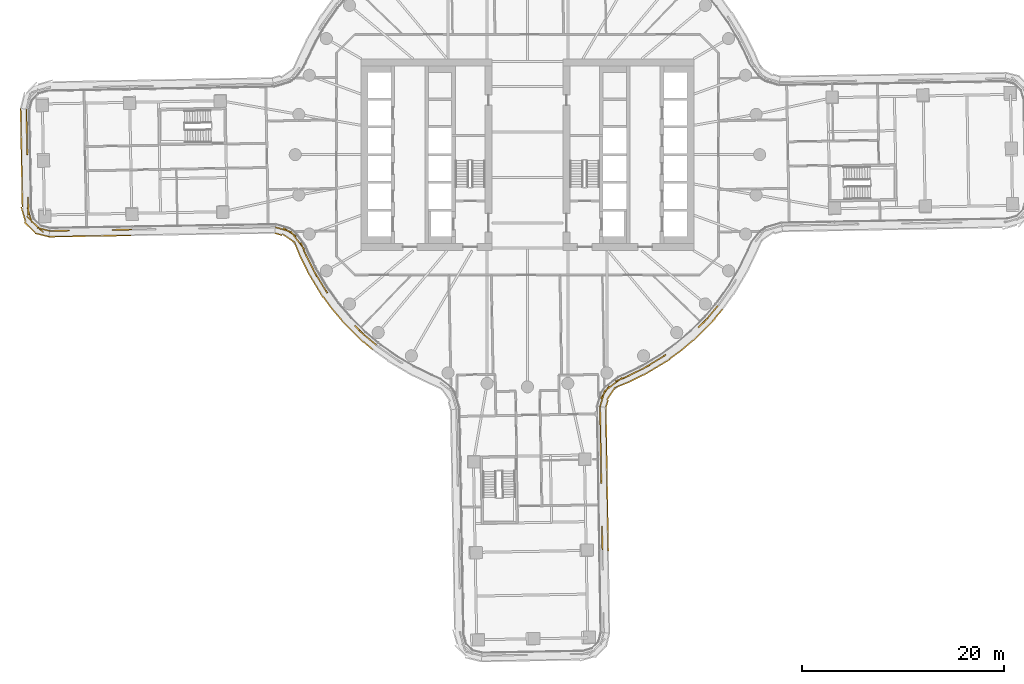
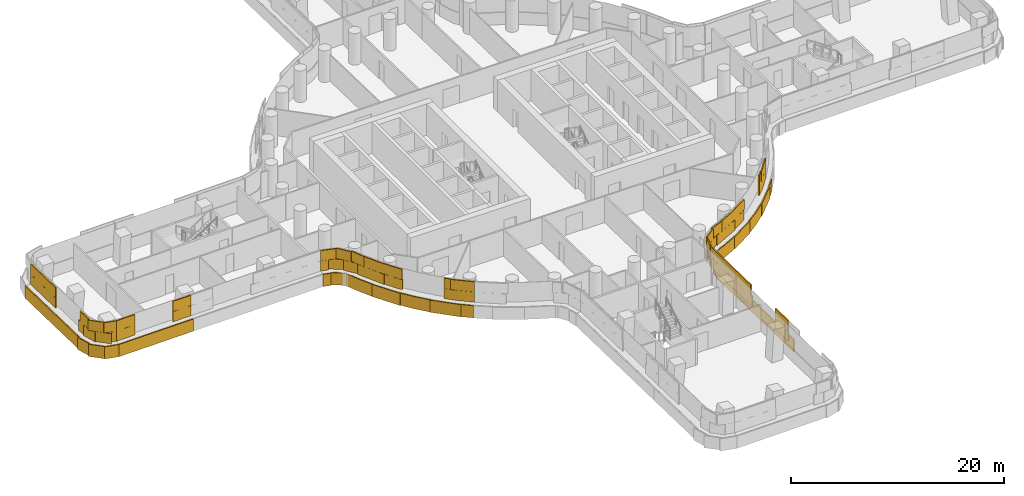
# One storey, part 26 of 31: 5 coverings.
"""IFC4 building model written with IfcOpenShell, lengths in metres."""

from ifc_helpers import new_model, si_unit, direction, frame, origin, origin_2d, place, context, subcontext, project, spatial, rectangle, extrude, material, layer, layer_set, type_object, element, save


model = new_model("IFC4")

# Units and contexts
model_context = context("Model", 3, precision=1e-05, world=origin(), true_north=direction((0.0, 1.0)))
body_context = subcontext(model_context, "Body", "Model", "MODEL_VIEW")
ifc_project = project(units=[si_unit("LENGTHUNIT", "METRE"), si_unit("AREAUNIT", "SQUARE_METRE"), si_unit("VOLUMEUNIT", "CUBIC_METRE"), si_unit("PLANEANGLEUNIT", "RADIAN"), si_unit("MASSUNIT", "GRAM", prefix="KILO")], contexts=[model_context])

# Site, building, storey
site_placement = place(None, origin())
site = spatial("IfcSite", under=ifc_project, at=site_placement, CompositionType="ELEMENT")
building_placement = place(site_placement, origin())
building = spatial("IfcBuilding", under=site, at=building_placement, Name="Tamarind Cross Interchange Tower", CompositionType="ELEMENT")
storey_placement = place(building_placement, frame((0.0, 0.0, 37.75)))
storey = spatial("IfcBuildingStorey", under=building, at=storey_placement, Name="L07", CompositionType="ELEMENT", Elevation=37.75)

# Coverings
ifc_material = material(Name="Terracotta", Category="masonry")
ifc_layer = layer(ifc_material, 0.1201171875)
ifc_layer_set = layer_set([ifc_layer], Name="Terracotta")
covering_type = type_object("IfcCoveringType", Name="Terracotta baguette screen unit", PredefinedType="MOLDING", material=ifc_layer_set)
covering_1_placement = place(storey_placement, origin())
element("IfcCovering", 1, at=covering_1_placement, inside=storey, type_object=covering_type, Name="SCR-L07-04-00", PredefinedType="MOLDING", context=body_context, shape_type="SweptSolid", body=[
    extrude(rectangle(XDim=0.760009765625, YDim=0.1201171875, at=origin_2d()), frame((-49.622802734375, 4.1337890625, 1.404052734375), z_axis=(0.0, 0.0, 1.0), x_axis=(0.018234189439, -0.999833743347, 0.0)), (0.0, 0.0, 1.0), 1.1669921875),
    extrude(rectangle(XDim=1.52001953125, YDim=0.1201171875, at=origin_2d()), frame((-49.602294921875, 3.009033203125, 1.404052734375), z_axis=(0.0, 0.0, 1.0), x_axis=(0.018234189439, -0.999833743347, 0.0)), (0.0, 0.0, 1.0), 1.1669921875),
    extrude(rectangle(XDim=1.52001953125, YDim=0.1201171875, at=origin_2d()), frame((-49.574951171875, 1.50927734375, 1.404052734375), z_axis=(0.0, 0.0, 1.0), x_axis=(0.018234189439, -0.999833743347, 0.0)), (0.0, 0.0, 1.0), 1.1669921875),
    extrude(rectangle(XDim=0.784912109375, YDim=0.1201171875, at=origin_2d()), frame((-49.55419921875, 0.3720703125, 1.404052734375), z_axis=(0.0, 0.0, 1.0), x_axis=(0.018234189439, -0.999833743347, 0.0)), (0.0, 0.0, 1.0), 1.1669921875),
    extrude(rectangle(XDim=1.03515625, YDim=0.1201171875, at=origin_2d()), frame((-49.461181640625, -4.72705078125, 1.404052734375), z_axis=(0.0, 0.0, 1.0), x_axis=(0.018234189439, -0.999833743347, 0.0)), (0.0, 0.0, 1.0), 1.1669921875),
    extrude(rectangle(XDim=1.52001953125, YDim=0.1201171875, at=origin_2d()), frame((-49.315185546875, -5.970947265625, 1.404052734375), z_axis=(0.0, 0.0, 1.0), x_axis=(0.276388889215, -0.961045879195, 0.0)), (0.0, 0.0, 1.0), 1.1669921875),
    extrude(rectangle(XDim=1.52001953125, YDim=0.1201171875, at=origin_2d()), frame((-48.499267578125, -7.1708984375, 1.404052734375), z_axis=(0.0, 0.0, 1.0), x_axis=(0.719882738982, -0.694095700978, 0.0)), (0.0, 0.0, 1.0), 1.1669921875),
    extrude(rectangle(XDim=0.509521484375, YDim=0.1201171875, at=origin_2d()), frame((-47.57373046875, -7.492919921875, 1.404052734375), z_axis=(0.0, 0.0, 1.0), x_axis=(0.970484590193, -0.241163140214, 0.0)), (0.0, 0.0, 1.0), 1.1669921875),
    extrude(rectangle(XDim=1.510009765625, YDim=0.1201171875, at=origin_2d()), frame((-49.615966796875, 3.759033203125, 2.5791015625), z_axis=(0.0, 0.0, 1.0), x_axis=(0.018234189439, -0.999833743347, 0.0)), (0.0, 0.0, 1.0), 1.1669921875),
    extrude(rectangle(XDim=1.52001953125, YDim=0.1201171875, at=origin_2d()), frame((-49.588623046875, 2.25927734375, 2.5791015625), z_axis=(0.0, 0.0, 1.0), x_axis=(0.018234189439, -0.999833743347, 0.0)), (0.0, 0.0, 1.0), 1.1669921875),
    extrude(rectangle(XDim=1.52001953125, YDim=0.1201171875, at=origin_2d()), frame((-49.561279296875, 0.759521484375, 2.5791015625), z_axis=(0.0, 0.0, 1.0), x_axis=(0.018234189439, -0.999833743347, 0.0)), (0.0, 0.0, 1.0), 1.1669921875),
    extrude(rectangle(XDim=1.52001953125, YDim=0.1201171875, at=origin_2d()), frame((-49.451904296875, -5.239501953125, 2.5791015625), z_axis=(0.0, 0.0, 1.0), x_axis=(0.018234189439, -0.999833743347, 0.0)), (0.0, 0.0, 1.0), 1.1669921875),
    extrude(rectangle(XDim=1.52001953125, YDim=0.1201171875, at=origin_2d()), frame((-49.0390625, -6.650390625, 2.5791015625), z_axis=(0.0, 0.0, 1.0), x_axis=(0.719882738982, -0.694095700978, 0.0)), (0.0, 0.0, 1.0), 1.1669921875),
    extrude(rectangle(XDim=1.259521484375, YDim=0.1201171875, at=origin_2d()), frame((-47.937744140625, -7.40234375, 2.5791015625), z_axis=(0.0, 0.0, 1.0), x_axis=(0.970484590193, -0.241163140214, 0.0)), (0.0, 0.0, 1.0), 1.1669921875),
    extrude(rectangle(XDim=0.760009765625, YDim=0.1201171875, at=origin_2d()), frame((-50.197998046875, 4.19384765625, 0.00390625), z_axis=(0.0, 0.0, 1.0), x_axis=(0.018234189439, -0.999833743347, 0.0)), (0.0, 0.0, 1.0), 1.39208984375),
    extrude(rectangle(XDim=1.52001953125, YDim=0.1201171875, at=origin_2d()), frame((-50.177490234375, 3.07421875, 0.00390625), z_axis=(0.0, 0.0, 1.0), x_axis=(0.018234189439, -0.999833743347, 0.0)), (0.0, 0.0, 1.0), 1.39208984375),
    extrude(rectangle(XDim=1.52001953125, YDim=0.1201171875, at=origin_2d()), frame((-50.150146484375, 1.574462890625, 0.00390625), z_axis=(0.0, 0.0, 1.0), x_axis=(0.018234189439, -0.999833743347, 0.0)), (0.0, 0.0, 1.0), 1.39208984375),
    extrude(rectangle(XDim=1.52001953125, YDim=0.1201171875, at=origin_2d()), frame((-50.122802734375, 0.07470703125, 0.00390625), z_axis=(0.0, 0.0, 1.0), x_axis=(0.018234189439, -0.999833743347, 0.0)), (0.0, 0.0, 1.0), 1.39208984375),
    extrude(rectangle(XDim=1.52001953125, YDim=0.1201171875, at=origin_2d()), frame((-50.095458984375, -1.425048828125, 0.00390625), z_axis=(0.0, 0.0, 1.0), x_axis=(0.018234189439, -0.999833743347, 0.0)), (0.0, 0.0, 1.0), 1.39208984375),
    extrude(rectangle(XDim=1.52001953125, YDim=0.1201171875, at=origin_2d()), frame((-50.068115234375, -2.9248046875, 0.00390625), z_axis=(0.0, 0.0, 1.0), x_axis=(0.018234189439, -0.999833743347, 0.0)), (0.0, 0.0, 1.0), 1.39208984375),
    extrude(rectangle(XDim=1.52001953125, YDim=0.1201171875, at=origin_2d()), frame((-50.040771484375, -4.424560546875, 0.00390625), z_axis=(0.0, 0.0, 1.0), x_axis=(0.018234189439, -0.999833743347, 0.0)), (0.0, 0.0, 1.0), 1.39208984375),
    extrude(rectangle(XDim=1.52001953125, YDim=0.1201171875, at=origin_2d()), frame((-49.929443359375, -5.911865234375, 0.00390625), z_axis=(0.0, 0.0, 1.0), x_axis=(0.276388889215, -0.961045879195, 0.0)), (0.0, 0.0, 1.0), 1.39208984375),
    extrude(rectangle(XDim=1.52001953125, YDim=0.1201171875, at=origin_2d()), frame((-49.2822265625, -7.21337890625, 0.00390625), z_axis=(0.0, 0.0, 1.0), x_axis=(0.719882738982, -0.694095700978, 0.0)), (0.0, 0.0, 1.0), 1.39208984375),
    extrude(rectangle(XDim=1.426513671875, YDim=0.1201171875, at=origin_2d()), frame((-48.089111328125, -7.956298828125, 0.00390625), z_axis=(0.0, 0.0, 1.0), x_axis=(0.970484590193, -0.241163140214, 0.0)), (0.0, 0.0, 1.0), 1.39208984375),
])
covering_2_placement = place(storey_placement, origin())
element("IfcCovering", 2, at=covering_2_placement, inside=storey, type_object=covering_type, Name="SCR-L07-05-00", PredefinedType="MOLDING", context=body_context, shape_type="SweptSolid", body=[
    extrude(rectangle(XDim=0.760009765625, YDim=0.1201171875, at=origin_2d()), frame((-46.956298828125, -7.547119140625, 1.404052734375), z_axis=(0.0, 0.0, 1.0), x_axis=(0.999868866543, 0.016194126045, 0.0)), (0.0, 0.0, 1.0), 1.1669921875),
    extrude(rectangle(XDim=1.236083984375, YDim=0.1201171875, at=origin_2d()), frame((-45.968505859375, -7.531005859375, 1.404052734375), z_axis=(0.0, 0.0, 1.0), x_axis=(0.999868866543, 0.016194126045, 0.0)), (0.0, 0.0, 1.0), 1.1669921875),
    extrude(rectangle(XDim=0.583984375, YDim=0.1201171875, at=origin_2d()), frame((-40.869140625, -7.448486328125, 1.404052734375), z_axis=(0.0, 0.0, 1.0), x_axis=(0.999868866543, 0.016194126045, 0.0)), (0.0, 0.0, 1.0), 1.1669921875),
    extrude(rectangle(XDim=1.412109375, YDim=0.1201171875, at=origin_2d()), frame((-39.881103515625, -7.432373046875, 1.404052734375), z_axis=(0.0, 0.0, 1.0), x_axis=(0.999868866543, 0.016194126045, 0.0)), (0.0, 0.0, 1.0), 1.1669921875),
    extrude(rectangle(XDim=1.510009765625, YDim=0.1201171875, at=origin_2d()), frame((-46.581298828125, -7.541015625, 2.5791015625), z_axis=(0.0, 0.0, 1.0), x_axis=(0.999868866543, 0.016194126045, 0.0)), (0.0, 0.0, 1.0), 1.1669921875),
    extrude(rectangle(XDim=0.486083984375, YDim=0.1201171875, at=origin_2d()), frame((-45.593505859375, -7.52490234375, 2.5791015625), z_axis=(0.0, 0.0, 1.0), x_axis=(0.999868866543, 0.016194126045, 0.0)), (0.0, 0.0, 1.0), 1.1669921875),
    extrude(rectangle(XDim=1.333984375, YDim=0.1201171875, at=origin_2d()), frame((-40.494140625, -7.4423828125, 2.5791015625), z_axis=(0.0, 0.0, 1.0), x_axis=(0.999868866543, 0.016194126045, 0.0)), (0.0, 0.0, 1.0), 1.1669921875),
    extrude(rectangle(XDim=0.662109375, YDim=0.1201171875, at=origin_2d()), frame((-39.50634765625, -7.42626953125, 2.5791015625), z_axis=(0.0, 0.0, 1.0), x_axis=(0.999868866543, 0.016194126045, 0.0)), (0.0, 0.0, 1.0), 1.1669921875),
    extrude(rectangle(XDim=0.760009765625, YDim=0.1201171875, at=origin_2d()), frame((-47.01708984375, -8.1220703125, 0.00390625), z_axis=(0.0, 0.0, 1.0), x_axis=(0.999868866543, 0.016194126045, 0.0)), (0.0, 0.0, 1.0), 1.39208984375),
    extrude(rectangle(XDim=1.52001953125, YDim=0.1201171875, at=origin_2d()), frame((-45.897216796875, -8.10400390625, 0.00390625), z_axis=(0.0, 0.0, 1.0), x_axis=(0.999868866543, 0.016194126045, 0.0)), (0.0, 0.0, 1.0), 1.39208984375),
    extrude(rectangle(XDim=1.52001953125, YDim=0.1201171875, at=origin_2d()), frame((-44.3974609375, -8.07958984375, 0.00390625), z_axis=(0.0, 0.0, 1.0), x_axis=(0.999868866543, 0.016194126045, 0.0)), (0.0, 0.0, 1.0), 1.39208984375),
    extrude(rectangle(XDim=1.52001953125, YDim=0.1201171875, at=origin_2d()), frame((-42.8974609375, -8.055419921875, 0.00390625), z_axis=(0.0, 0.0, 1.0), x_axis=(0.999868866543, 0.016194126045, 0.0)), (0.0, 0.0, 1.0), 1.39208984375),
    extrude(rectangle(XDim=1.52001953125, YDim=0.1201171875, at=origin_2d()), frame((-41.397705078125, -8.031005859375, 0.00390625), z_axis=(0.0, 0.0, 1.0), x_axis=(0.999868866543, 0.016194126045, 0.0)), (0.0, 0.0, 1.0), 1.39208984375),
    extrude(rectangle(XDim=1.407470703125, YDim=0.1201171875, at=origin_2d()), frame((-39.9541015625, -8.0078125, 0.00390625), z_axis=(0.0, 0.0, 1.0), x_axis=(0.999868866543, 0.016194126045, 0.0)), (0.0, 0.0, 1.0), 1.39208984375),
])
covering_3_placement = place(storey_placement, origin())
element("IfcCovering", 3, at=covering_3_placement, inside=storey, type_object=covering_type, Name="SCR-L07-06-00", PredefinedType="MOLDING", context=body_context, shape_type="SweptSolid", body=[
    extrude(rectangle(XDim=0.760009765625, YDim=0.1201171875, at=origin_2d()), frame((-24.597412109375, -7.296630859375, 1.404052734375), z_axis=(0.0, 0.0, 1.0), x_axis=(0.959375782306, -0.28213136714, 0.0)), (0.0, 0.0, 1.0), 1.1669921875),
    extrude(rectangle(XDim=1.52001953125, YDim=0.1201171875, at=origin_2d()), frame((-23.54248046875, -7.665771484375, 1.404052734375), z_axis=(0.0, 0.0, 1.0), x_axis=(0.830793097988, -0.556581376202, 0.0)), (0.0, 0.0, 1.0), 1.1669921875),
    extrude(rectangle(XDim=1.52001953125, YDim=0.1201171875, at=origin_2d()), frame((-22.55322265625, -8.773193359375, 1.404052734375), z_axis=(0.0, 0.0, 1.0), x_axis=(0.603897799222, -0.797061759273, 0.0)), (0.0, 0.0, 1.0), 1.1669921875),
    extrude(rectangle(XDim=1.52001953125, YDim=0.1201171875, at=origin_2d()), frame((-21.85693359375, -10.0908203125, 1.404052734375), z_axis=(0.0, 0.0, 1.0), x_axis=(0.443058811505, -0.896492548518, 0.0)), (0.0, 0.0, 1.0), 1.1669921875),
    extrude(rectangle(XDim=1.52001953125, YDim=0.1201171875, at=origin_2d()), frame((-21.1923828125, -11.435546875, 1.404052734375), z_axis=(0.0, 0.0, 1.0), x_axis=(0.443058811505, -0.896492548518, 0.0)), (0.0, 0.0, 1.0), 1.1669921875),
    extrude(rectangle(XDim=1.52001953125, YDim=0.1201171875, at=origin_2d()), frame((-20.4287109375, -12.72607421875, 1.404052734375), z_axis=(0.0, 0.0, 1.0), x_axis=(0.515577308909, -0.856843065292, 0.0)), (0.0, 0.0, 1.0), 1.1669921875),
    extrude(rectangle(XDim=0.414794921875, YDim=0.1201171875, at=origin_2d()), frame((-19.9150390625, -13.527099609375, 1.404052734375), z_axis=(0.0, 0.0, 1.0), x_axis=(0.584573890505, -0.811340475102, 0.0)), (0.0, 0.0, 1.0), 1.1669921875),
    extrude(rectangle(XDim=1.4052734375, YDim=0.1201171875, at=origin_2d()), frame((-16.62255859375, -17.407958984375, 1.404052734375), z_axis=(0.0, 0.0, 1.0), x_axis=(0.710143317658, -0.704057148523, 0.0)), (0.0, 0.0, 1.0), 1.1669921875),
    extrude(rectangle(XDim=1.52001953125, YDim=0.1201171875, at=origin_2d()), frame((-15.544189453125, -18.3720703125, 1.404052734375), z_axis=(0.0, 0.0, 1.0), x_axis=(0.765858396687, -0.643009266048, 0.0)), (0.0, 0.0, 1.0), 1.1669921875),
    extrude(rectangle(XDim=1.510009765625, YDim=0.1201171875, at=origin_2d()), frame((-24.237548828125, -7.40234375, 2.5791015625), z_axis=(0.0, 0.0, 1.0), x_axis=(0.959375782306, -0.28213136714, 0.0)), (0.0, 0.0, 1.0), 1.1669921875),
    extrude(rectangle(XDim=1.52001953125, YDim=0.1201171875, at=origin_2d()), frame((-23.006103515625, -8.17529296875, 2.5791015625), z_axis=(0.0, 0.0, 1.0), x_axis=(0.603897799222, -0.797061759273, 0.0)), (0.0, 0.0, 1.0), 1.1669921875),
    extrude(rectangle(XDim=1.52001953125, YDim=0.1201171875, at=origin_2d()), frame((-22.16259765625, -9.406494140625, 2.5791015625), z_axis=(0.0, 0.0, 1.0), x_axis=(0.375270335915, -0.926915408752, 0.0)), (0.0, 0.0, 1.0), 1.1669921875),
    extrude(rectangle(XDim=1.52001953125, YDim=0.1201171875, at=origin_2d()), frame((-21.524658203125, -10.76318359375, 2.5791015625), z_axis=(0.0, 0.0, 1.0), x_axis=(0.443058811505, -0.896492548518, 0.0)), (0.0, 0.0, 1.0), 1.1669921875),
    extrude(rectangle(XDim=1.52001953125, YDim=0.1201171875, at=origin_2d()), frame((-20.8154296875, -12.083251953125, 2.5791015625), z_axis=(0.0, 0.0, 1.0), x_axis=(0.515577308909, -0.856843065292, 0.0)), (0.0, 0.0, 1.0), 1.1669921875),
    extrude(rectangle(XDim=1.164794921875, YDim=0.1201171875, at=origin_2d()), frame((-20.131103515625, -13.220703125, 2.5791015625), z_axis=(0.0, 0.0, 1.0), x_axis=(0.515577308909, -0.856843065292, 0.0)), (0.0, 0.0, 1.0), 1.1669921875),
    extrude(rectangle(XDim=0.6552734375, YDim=0.1201171875, at=origin_2d()), frame((-16.888916015625, -17.14404296875, 2.5791015625), z_axis=(0.0, 0.0, 1.0), x_axis=(0.710143317658, -0.704057148523, 0.0)), (0.0, 0.0, 1.0), 1.1669921875),
    extrude(rectangle(XDim=1.52001953125, YDim=0.1201171875, at=origin_2d()), frame((-16.11865234375, -17.889892578125, 2.5791015625), z_axis=(0.0, 0.0, 1.0), x_axis=(0.765858396687, -0.643009266048, 0.0)), (0.0, 0.0, 1.0), 1.1669921875),
    extrude(rectangle(XDim=0.766357421875, YDim=0.1201171875, at=origin_2d()), frame((-15.254638671875, -18.615234375, 2.5791015625), z_axis=(0.0, 0.0, 1.0), x_axis=(0.765858396687, -0.643009266048, 0.0)), (0.0, 0.0, 1.0), 1.1669921875),
    extrude(rectangle(XDim=0.760009765625, YDim=0.1201171875, at=origin_2d()), frame((-24.670654296875, -7.873291015625, 0.00390625), z_axis=(0.0, 0.0, 1.0), x_axis=(0.959375782306, -0.28213136714, 0.0)), (0.0, 0.0, 1.0), 1.39208984375),
    extrude(rectangle(XDim=1.52001953125, YDim=0.1201171875, at=origin_2d()), frame((-23.64306640625, -8.289306640625, 0.00390625), z_axis=(0.0, 0.0, 1.0), x_axis=(0.830793097988, -0.556581376202, 0.0)), (0.0, 0.0, 1.0), 1.39208984375),
    extrude(rectangle(XDim=1.52001953125, YDim=0.1201171875, at=origin_2d()), frame((-22.748046875, -9.490234375, 0.00390625), z_axis=(0.0, 0.0, 1.0), x_axis=(0.375270335915, -0.926915408752, 0.0)), (0.0, 0.0, 1.0), 1.39208984375),
    extrude(rectangle(XDim=1.52001953125, YDim=0.1201171875, at=origin_2d()), frame((-22.12109375, -10.851806640625, 0.00390625), z_axis=(0.0, 0.0, 1.0), x_axis=(0.443058811505, -0.896492548518, 0.0)), (0.0, 0.0, 1.0), 1.39208984375),
    extrude(rectangle(XDim=1.52001953125, YDim=0.1201171875, at=origin_2d()), frame((-21.427001953125, -12.180419921875, 0.00390625), z_axis=(0.0, 0.0, 1.0), x_axis=(0.515577308909, -0.856843065292, 0.0)), (0.0, 0.0, 1.0), 1.39208984375),
    extrude(rectangle(XDim=1.52001953125, YDim=0.1201171875, at=origin_2d()), frame((-20.653564453125, -13.465576171875, 0.00390625), z_axis=(0.0, 0.0, 1.0), x_axis=(0.515577308909, -0.856843065292, 0.0)), (0.0, 0.0, 1.0), 1.39208984375),
    extrude(rectangle(XDim=1.52001953125, YDim=0.1201171875, at=origin_2d()), frame((-19.78564453125, -14.688720703125, 0.00390625), z_axis=(0.0, 0.0, 1.0), x_axis=(0.584573890505, -0.811340475102, 0.0)), (0.0, 0.0, 1.0), 1.39208984375),
    extrude(rectangle(XDim=1.52001953125, YDim=0.1201171875, at=origin_2d()), frame((-18.854736328125, -15.863037109375, 0.00390625), z_axis=(0.0, 0.0, 1.0), x_axis=(0.64957723968, -0.760295606781, 0.0)), (0.0, 0.0, 1.0), 1.39208984375),
    extrude(rectangle(XDim=1.52001953125, YDim=0.1201171875, at=origin_2d()), frame((-17.862548828125, -16.987060546875, 0.00390625), z_axis=(0.0, 0.0, 1.0), x_axis=(0.710143317658, -0.704057148523, 0.0)), (0.0, 0.0, 1.0), 1.39208984375),
    extrude(rectangle(XDim=1.52001953125, YDim=0.1201171875, at=origin_2d()), frame((-16.79736328125, -18.043212890625, 0.00390625), z_axis=(0.0, 0.0, 1.0), x_axis=(0.710143317658, -0.704057148523, 0.0)), (0.0, 0.0, 1.0), 1.39208984375),
    extrude(rectangle(XDim=1.204345703125, YDim=0.1201171875, at=origin_2d()), frame((-15.782958984375, -18.921142578125, 0.00390625), z_axis=(0.0, 0.0, 1.0), x_axis=(0.765858396687, -0.643009266048, 0.0)), (0.0, 0.0, 1.0), 1.39208984375),
])
covering_4_placement = place(storey_placement, origin())
element("IfcCovering", 4, at=covering_4_placement, inside=storey, type_object=covering_type, Name="SCR-L07-09-01", PredefinedType="MOLDING", context=body_context, shape_type="SweptSolid", body=[
    extrude(rectangle(XDim=0.10791015625, YDim=0.1201171875, at=origin_2d()), frame((7.42041015625, -39.13134765625, 1.404052734375), z_axis=(0.0, 0.0, 1.0), x_axis=(-0.016194126045, 0.999868866543, 0.0)), (0.0, 0.0, 1.0), 1.1669921875),
    extrude(rectangle(XDim=1.52001953125, YDim=0.1201171875, at=origin_2d()), frame((7.407470703125, -38.33251953125, 1.404052734375), z_axis=(0.0, 0.0, 1.0), x_axis=(-0.016194126045, 0.999868866543, 0.0)), (0.0, 0.0, 1.0), 1.1669921875),
    extrude(rectangle(XDim=0.811767578125, YDim=0.1201171875, at=origin_2d()), frame((7.388671875, -37.181640625, 1.404052734375), z_axis=(0.0, 0.0, 1.0), x_axis=(-0.016194126045, 0.999868866543, 0.0)), (0.0, 0.0, 1.0), 1.1669921875),
    extrude(rectangle(XDim=1.00830078125, YDim=0.1201171875, at=origin_2d()), frame((7.30615234375, -32.08251953125, 1.404052734375), z_axis=(0.0, 0.0, 1.0), x_axis=(-0.016194126045, 0.999868866543, 0.0)), (0.0, 0.0, 1.0), 1.1669921875),
    extrude(rectangle(XDim=1.52001953125, YDim=0.1201171875, at=origin_2d()), frame((7.285888671875, -30.83349609375, 1.404052734375), z_axis=(0.0, 0.0, 1.0), x_axis=(-0.016194126045, 0.999868866543, 0.0)), (0.0, 0.0, 1.0), 1.1669921875),
    extrude(rectangle(XDim=1.52001953125, YDim=0.1201171875, at=origin_2d()), frame((7.26171875, -29.333740234375, 1.404052734375), z_axis=(0.0, 0.0, 1.0), x_axis=(-0.016194126045, 0.999868866543, 0.0)), (0.0, 0.0, 1.0), 1.1669921875),
    extrude(rectangle(XDim=1.52001953125, YDim=0.1201171875, at=origin_2d()), frame((7.2373046875, -27.833740234375, 1.404052734375), z_axis=(0.0, 0.0, 1.0), x_axis=(-0.016194126045, 0.999868866543, 0.0)), (0.0, 0.0, 1.0), 1.1669921875),
    extrude(rectangle(XDim=1.52001953125, YDim=0.1201171875, at=origin_2d()), frame((7.213134765625, -26.333984375, 1.404052734375), z_axis=(0.0, 0.0, 1.0), x_axis=(-0.016194126045, 0.999868866543, 0.0)), (0.0, 0.0, 1.0), 1.1669921875),
    extrude(rectangle(XDim=0.63720703125, YDim=0.1201171875, at=origin_2d()), frame((7.19580078125, -25.2705078125, 1.404052734375), z_axis=(0.0, 0.0, 1.0), x_axis=(-0.016194126045, 0.999868866543, 0.0)), (0.0, 0.0, 1.0), 1.1669921875),
    extrude(rectangle(XDim=0.85791015625, YDim=0.1201171875, at=origin_2d()), frame((7.414306640625, -38.75634765625, 2.5791015625), z_axis=(0.0, 0.0, 1.0), x_axis=(-0.016194126045, 0.999868866543, 0.0)), (0.0, 0.0, 1.0), 1.1669921875),
    extrude(rectangle(XDim=1.52001953125, YDim=0.1201171875, at=origin_2d()), frame((7.395263671875, -37.58251953125, 2.5791015625), z_axis=(0.0, 0.0, 1.0), x_axis=(-0.016194126045, 0.999868866543, 0.0)), (0.0, 0.0, 1.0), 1.1669921875),
    extrude(rectangle(XDim=1.52001953125, YDim=0.1201171875, at=origin_2d()), frame((7.298095703125, -31.583251953125, 2.5791015625), z_axis=(0.0, 0.0, 1.0), x_axis=(-0.016194126045, 0.999868866543, 0.0)), (0.0, 0.0, 1.0), 1.1669921875),
    extrude(rectangle(XDim=1.52001953125, YDim=0.1201171875, at=origin_2d()), frame((7.273681640625, -30.08349609375, 2.5791015625), z_axis=(0.0, 0.0, 1.0), x_axis=(-0.016194126045, 0.999868866543, 0.0)), (0.0, 0.0, 1.0), 1.1669921875),
    extrude(rectangle(XDim=1.52001953125, YDim=0.1201171875, at=origin_2d()), frame((7.24951171875, -28.583740234375, 2.5791015625), z_axis=(0.0, 0.0, 1.0), x_axis=(-0.016194126045, 0.999868866543, 0.0)), (0.0, 0.0, 1.0), 1.1669921875),
    extrude(rectangle(XDim=1.52001953125, YDim=0.1201171875, at=origin_2d()), frame((7.22509765625, -27.083984375, 2.5791015625), z_axis=(0.0, 0.0, 1.0), x_axis=(-0.016194126045, 0.999868866543, 0.0)), (0.0, 0.0, 1.0), 1.1669921875),
    extrude(rectangle(XDim=1.38720703125, YDim=0.1201171875, at=origin_2d()), frame((7.201904296875, -25.6455078125, 2.5791015625), z_axis=(0.0, 0.0, 1.0), x_axis=(-0.016194126045, 0.999868866543, 0.0)), (0.0, 0.0, 1.0), 1.1669921875),
    extrude(rectangle(XDim=0.112548828125, YDim=0.1201171875, at=origin_2d()), frame((7.995361328125, -39.1943359375, 0.00390625), z_axis=(0.0, 0.0, 1.0), x_axis=(-0.016194126045, 0.999868866543, 0.0)), (0.0, 0.0, 1.0), 1.39208984375),
    extrude(rectangle(XDim=1.52001953125, YDim=0.1201171875, at=origin_2d()), frame((7.982421875, -38.398193359375, 0.00390625), z_axis=(0.0, 0.0, 1.0), x_axis=(-0.016194126045, 0.999868866543, 0.0)), (0.0, 0.0, 1.0), 1.39208984375),
    extrude(rectangle(XDim=1.52001953125, YDim=0.1201171875, at=origin_2d()), frame((7.958251953125, -36.8984375, 0.00390625), z_axis=(0.0, 0.0, 1.0), x_axis=(-0.016194126045, 0.999868866543, 0.0)), (0.0, 0.0, 1.0), 1.39208984375),
    extrude(rectangle(XDim=1.52001953125, YDim=0.1201171875, at=origin_2d()), frame((7.933837890625, -35.3984375, 0.00390625), z_axis=(0.0, 0.0, 1.0), x_axis=(-0.016194126045, 0.999868866543, 0.0)), (0.0, 0.0, 1.0), 1.39208984375),
    extrude(rectangle(XDim=1.52001953125, YDim=0.1201171875, at=origin_2d()), frame((7.90966796875, -33.898681640625, 0.00390625), z_axis=(0.0, 0.0, 1.0), x_axis=(-0.016194126045, 0.999868866543, 0.0)), (0.0, 0.0, 1.0), 1.39208984375),
    extrude(rectangle(XDim=1.52001953125, YDim=0.1201171875, at=origin_2d()), frame((7.88525390625, -32.39892578125, 0.00390625), z_axis=(0.0, 0.0, 1.0), x_axis=(-0.016194126045, 0.999868866543, 0.0)), (0.0, 0.0, 1.0), 1.39208984375),
    extrude(rectangle(XDim=1.52001953125, YDim=0.1201171875, at=origin_2d()), frame((7.861083984375, -30.899169921875, 0.00390625), z_axis=(0.0, 0.0, 1.0), x_axis=(-0.016194126045, 0.999868866543, 0.0)), (0.0, 0.0, 1.0), 1.39208984375),
    extrude(rectangle(XDim=1.52001953125, YDim=0.1201171875, at=origin_2d()), frame((7.836669921875, -29.3994140625, 0.00390625), z_axis=(0.0, 0.0, 1.0), x_axis=(-0.016194126045, 0.999868866543, 0.0)), (0.0, 0.0, 1.0), 1.39208984375),
    extrude(rectangle(XDim=1.52001953125, YDim=0.1201171875, at=origin_2d()), frame((7.8125, -27.8994140625, 0.00390625), z_axis=(0.0, 0.0, 1.0), x_axis=(-0.016194126045, 0.999868866543, 0.0)), (0.0, 0.0, 1.0), 1.39208984375),
    extrude(rectangle(XDim=1.52001953125, YDim=0.1201171875, at=origin_2d()), frame((7.7880859375, -26.399658203125, 0.00390625), z_axis=(0.0, 0.0, 1.0), x_axis=(-0.016194126045, 0.999868866543, 0.0)), (0.0, 0.0, 1.0), 1.39208984375),
    extrude(rectangle(XDim=0.624755859375, YDim=0.1201171875, at=origin_2d()), frame((7.771240234375, -25.347412109375, 0.00390625), z_axis=(0.0, 0.0, 1.0), x_axis=(-0.016194126045, 0.999868866543, 0.0)), (0.0, 0.0, 1.0), 1.39208984375),
])
covering_5_placement = place(storey_placement, origin())
element("IfcCovering", 5, at=covering_5_placement, inside=storey, type_object=covering_type, Name="SCR-L07-10-00", PredefinedType="MOLDING", context=body_context, shape_type="SweptSolid", body=[
    extrude(rectangle(XDim=0.760009765625, YDim=0.1201171875, at=origin_2d()), frame((7.296630859375, -24.597412109375, 1.404052734375), z_axis=(0.0, 0.0, 1.0), x_axis=(0.28213136714, 0.959375782306, 0.0)), (0.0, 0.0, 1.0), 1.1669921875),
    extrude(rectangle(XDim=1.52001953125, YDim=0.1201171875, at=origin_2d()), frame((7.665771484375, -23.54248046875, 1.404052734375), z_axis=(0.0, 0.0, 1.0), x_axis=(0.556581376202, 0.830793097988, 0.0)), (0.0, 0.0, 1.0), 1.1669921875),
    extrude(rectangle(XDim=1.52001953125, YDim=0.1201171875, at=origin_2d()), frame((8.773193359375, -22.55322265625, 1.404052734375), z_axis=(0.0, 0.0, 1.0), x_axis=(0.797061759273, 0.603897799222, 0.0)), (0.0, 0.0, 1.0), 1.1669921875),
    extrude(rectangle(XDim=1.52001953125, YDim=0.1201171875, at=origin_2d()), frame((10.0908203125, -21.85693359375, 1.404052734375), z_axis=(0.0, 0.0, 1.0), x_axis=(0.896492548518, 0.443058811505, 0.0)), (0.0, 0.0, 1.0), 1.1669921875),
    extrude(rectangle(XDim=1.52001953125, YDim=0.1201171875, at=origin_2d()), frame((11.435546875, -21.1923828125, 1.404052734375), z_axis=(0.0, 0.0, 1.0), x_axis=(0.896492548518, 0.443058811505, 0.0)), (0.0, 0.0, 1.0), 1.1669921875),
    extrude(rectangle(XDim=1.52001953125, YDim=0.1201171875, at=origin_2d()), frame((12.72607421875, -20.4287109375, 1.404052734375), z_axis=(0.0, 0.0, 1.0), x_axis=(0.856843065292, 0.515577308909, 0.0)), (0.0, 0.0, 1.0), 1.1669921875),
    extrude(rectangle(XDim=0.414794921875, YDim=0.1201171875, at=origin_2d()), frame((13.527099609375, -19.9150390625, 1.404052734375), z_axis=(0.0, 0.0, 1.0), x_axis=(0.811340475102, 0.584573890505, 0.0)), (0.0, 0.0, 1.0), 1.1669921875),
    extrude(rectangle(XDim=1.4052734375, YDim=0.1201171875, at=origin_2d()), frame((17.407958984375, -16.62255859375, 1.404052734375), z_axis=(0.0, 0.0, 1.0), x_axis=(0.704057148523, 0.710143317658, 0.0)), (0.0, 0.0, 1.0), 1.1669921875),
    extrude(rectangle(XDim=1.52001953125, YDim=0.1201171875, at=origin_2d()), frame((18.3720703125, -15.544189453125, 1.404052734375), z_axis=(0.0, 0.0, 1.0), x_axis=(0.643009266048, 0.765858396687, 0.0)), (0.0, 0.0, 1.0), 1.1669921875),
    extrude(rectangle(XDim=1.510009765625, YDim=0.1201171875, at=origin_2d()), frame((7.40234375, -24.237548828125, 2.5791015625), z_axis=(0.0, 0.0, 1.0), x_axis=(0.28213136714, 0.959375782306, 0.0)), (0.0, 0.0, 1.0), 1.1669921875),
    extrude(rectangle(XDim=1.52001953125, YDim=0.1201171875, at=origin_2d()), frame((8.17529296875, -23.006103515625, 2.5791015625), z_axis=(0.0, 0.0, 1.0), x_axis=(0.797061759273, 0.603897799222, 0.0)), (0.0, 0.0, 1.0), 1.1669921875),
    extrude(rectangle(XDim=1.52001953125, YDim=0.1201171875, at=origin_2d()), frame((9.406494140625, -22.16259765625, 2.5791015625), z_axis=(0.0, 0.0, 1.0), x_axis=(0.926915408752, 0.375270335915, 0.0)), (0.0, 0.0, 1.0), 1.1669921875),
    extrude(rectangle(XDim=1.52001953125, YDim=0.1201171875, at=origin_2d()), frame((10.76318359375, -21.524658203125, 2.5791015625), z_axis=(0.0, 0.0, 1.0), x_axis=(0.896492548518, 0.443058811505, 0.0)), (0.0, 0.0, 1.0), 1.1669921875),
    extrude(rectangle(XDim=1.52001953125, YDim=0.1201171875, at=origin_2d()), frame((12.083251953125, -20.8154296875, 2.5791015625), z_axis=(0.0, 0.0, 1.0), x_axis=(0.856843065292, 0.515577308909, 0.0)), (0.0, 0.0, 1.0), 1.1669921875),
    extrude(rectangle(XDim=1.164794921875, YDim=0.1201171875, at=origin_2d()), frame((13.220703125, -20.131103515625, 2.5791015625), z_axis=(0.0, 0.0, 1.0), x_axis=(0.856843065292, 0.515577308909, 0.0)), (0.0, 0.0, 1.0), 1.1669921875),
    extrude(rectangle(XDim=0.6552734375, YDim=0.1201171875, at=origin_2d()), frame((17.14404296875, -16.888916015625, 2.5791015625), z_axis=(0.0, 0.0, 1.0), x_axis=(0.704057148523, 0.710143317658, 0.0)), (0.0, 0.0, 1.0), 1.1669921875),
    extrude(rectangle(XDim=1.52001953125, YDim=0.1201171875, at=origin_2d()), frame((17.889892578125, -16.11865234375, 2.5791015625), z_axis=(0.0, 0.0, 1.0), x_axis=(0.643009266048, 0.765858396687, 0.0)), (0.0, 0.0, 1.0), 1.1669921875),
    extrude(rectangle(XDim=0.766357421875, YDim=0.1201171875, at=origin_2d()), frame((18.615234375, -15.254638671875, 2.5791015625), z_axis=(0.0, 0.0, 1.0), x_axis=(0.643009266048, 0.765858396687, 0.0)), (0.0, 0.0, 1.0), 1.1669921875),
    extrude(rectangle(XDim=0.760009765625, YDim=0.1201171875, at=origin_2d()), frame((7.873291015625, -24.670654296875, 0.00390625), z_axis=(0.0, 0.0, 1.0), x_axis=(0.28213136714, 0.959375782306, 0.0)), (0.0, 0.0, 1.0), 1.39208984375),
    extrude(rectangle(XDim=1.52001953125, YDim=0.1201171875, at=origin_2d()), frame((8.289306640625, -23.64306640625, 0.00390625), z_axis=(0.0, 0.0, 1.0), x_axis=(0.556581376202, 0.830793097988, 0.0)), (0.0, 0.0, 1.0), 1.39208984375),
    extrude(rectangle(XDim=1.52001953125, YDim=0.1201171875, at=origin_2d()), frame((9.490234375, -22.748046875, 0.00390625), z_axis=(0.0, 0.0, 1.0), x_axis=(0.926915408752, 0.375270335915, 0.0)), (0.0, 0.0, 1.0), 1.39208984375),
    extrude(rectangle(XDim=1.52001953125, YDim=0.1201171875, at=origin_2d()), frame((10.851806640625, -22.12109375, 0.00390625), z_axis=(0.0, 0.0, 1.0), x_axis=(0.896492548518, 0.443058811505, 0.0)), (0.0, 0.0, 1.0), 1.39208984375),
    extrude(rectangle(XDim=1.52001953125, YDim=0.1201171875, at=origin_2d()), frame((12.180419921875, -21.427001953125, 0.00390625), z_axis=(0.0, 0.0, 1.0), x_axis=(0.856843065292, 0.515577308909, 0.0)), (0.0, 0.0, 1.0), 1.39208984375),
    extrude(rectangle(XDim=1.52001953125, YDim=0.1201171875, at=origin_2d()), frame((13.465576171875, -20.653564453125, 0.00390625), z_axis=(0.0, 0.0, 1.0), x_axis=(0.856843065292, 0.515577308909, 0.0)), (0.0, 0.0, 1.0), 1.39208984375),
    extrude(rectangle(XDim=1.52001953125, YDim=0.1201171875, at=origin_2d()), frame((14.688720703125, -19.78564453125, 0.00390625), z_axis=(0.0, 0.0, 1.0), x_axis=(0.811340475102, 0.584573890505, 0.0)), (0.0, 0.0, 1.0), 1.39208984375),
    extrude(rectangle(XDim=1.52001953125, YDim=0.1201171875, at=origin_2d()), frame((15.863037109375, -18.854736328125, 0.00390625), z_axis=(0.0, 0.0, 1.0), x_axis=(0.760295606781, 0.64957723968, 0.0)), (0.0, 0.0, 1.0), 1.39208984375),
    extrude(rectangle(XDim=1.52001953125, YDim=0.1201171875, at=origin_2d()), frame((16.987060546875, -17.862548828125, 0.00390625), z_axis=(0.0, 0.0, 1.0), x_axis=(0.704057148523, 0.710143317658, 0.0)), (0.0, 0.0, 1.0), 1.39208984375),
    extrude(rectangle(XDim=1.52001953125, YDim=0.1201171875, at=origin_2d()), frame((18.043212890625, -16.79736328125, 0.00390625), z_axis=(0.0, 0.0, 1.0), x_axis=(0.704057148523, 0.710143317658, 0.0)), (0.0, 0.0, 1.0), 1.39208984375),
    extrude(rectangle(XDim=1.204345703125, YDim=0.1201171875, at=origin_2d()), frame((18.921142578125, -15.782958984375, 0.00390625), z_axis=(0.0, 0.0, 1.0), x_axis=(0.643009266048, 0.765858396687, 0.0)), (0.0, 0.0, 1.0), 1.39208984375),
])

save(model, "model.ifc")
